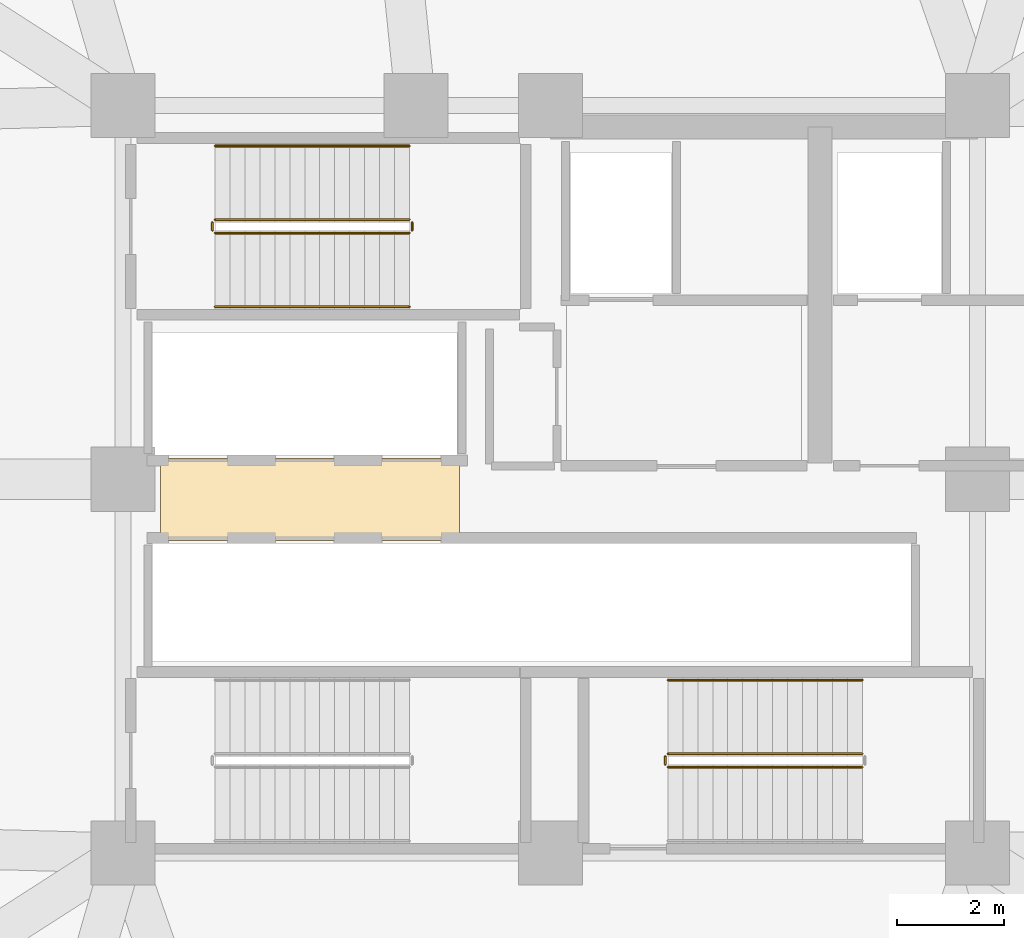
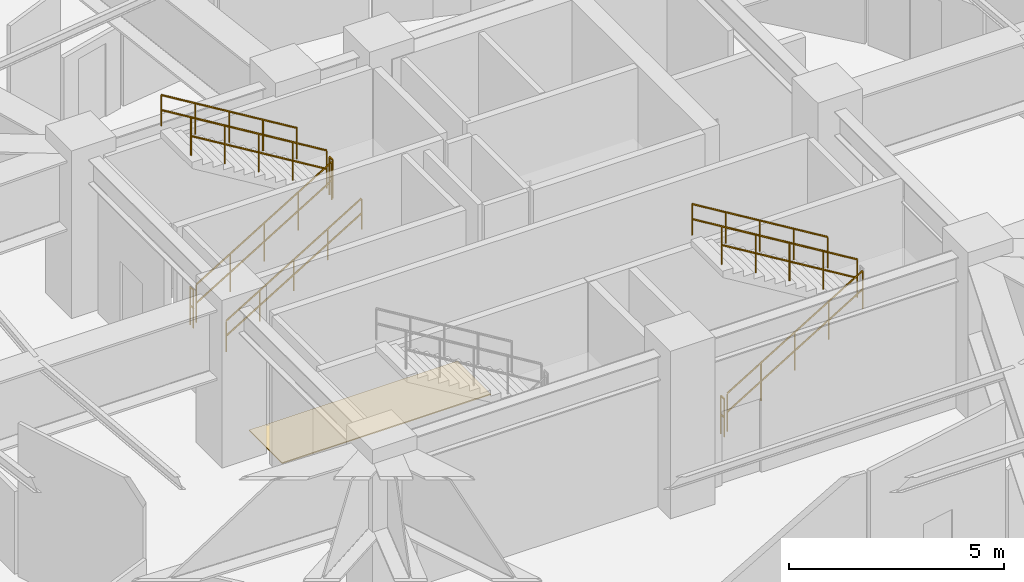
# One storey, part 32 of 34: 10 railings, 1 covering.
"""IFC4 building model written with IfcOpenShell, lengths in metres."""

from ifc_helpers import new_model, si_unit, direction, frame, origin, origin_2d, place, context, subcontext, project, spatial, polyline, rectangle, outline, extrude, source, transform, mapped, material, layer, layer_set, type_object, element, save


model = new_model("IFC4")

# Units and contexts
model_context = context("Model", 3, precision=1e-05, world=origin(), true_north=direction((0.0, 1.0)))
body_context = subcontext(model_context, "Body", "Model", "MODEL_VIEW")
ifc_project = project(units=[si_unit("LENGTHUNIT", "METRE"), si_unit("AREAUNIT", "SQUARE_METRE"), si_unit("VOLUMEUNIT", "CUBIC_METRE"), si_unit("PLANEANGLEUNIT", "RADIAN"), si_unit("MASSUNIT", "GRAM", prefix="KILO")], contexts=[model_context])

# Site, building, storey
site_placement = place(None, origin())
site = spatial("IfcSite", under=ifc_project, at=site_placement, CompositionType="ELEMENT")
building_placement = place(site_placement, origin())
building = spatial("IfcBuilding", under=site, at=building_placement, Name="Kelanora Arch Commons", CompositionType="ELEMENT")
storey_placement = place(building_placement, frame((0.0, 0.0, 125.10009765625)))
storey = spatial("IfcBuildingStorey", under=building, at=storey_placement, Name="L32", CompositionType="ELEMENT", Elevation=125.10009765625)

# Railings
ifc_material_1 = material(Name="Painted steel stair well guard", Category="steel")
railing_type_1 = type_object("IfcRailingType", Name="RAIL-STAIR-GRD", PredefinedType="GUARDRAIL", material=ifc_material_1)
railing_1_placement = place(storey_placement, frame((67.719970703125, 62.610107421875, 0.169921875)))
element("IfcRailing", 1, at=railing_1_placement, inside=storey, type_object=railing_type_1, Name="L32 ST-T1 stair guard 1", PredefinedType="GUARDRAIL", context=body_context, shape_type="SweptSolid", body=[
    extrude(outline(polyline([(0.02392578125, 0.0), (0.011962890625, 0.020751953125), (-0.011962890625, 0.020751953125), (-0.02392578125, 0.0), (-0.011962890625, -0.020751953125), (0.011962890625, -0.020751953125), (0.02392578125, 0.0)])), frame((0.0, 0.0, 1.076171875), z_axis=(0.854800231366, 0.0, 0.518957189425), x_axis=(0.0, 1.0, 0.0)), (0.0, 0.0, 1.0), 4.258544921875),
    extrude(outline(polyline([(0.02392578125, 0.0), (0.011962890625, 0.020751953125), (-0.011962890625, 0.020751953125), (-0.02392578125, 0.0), (-0.011962890625, -0.020751953125), (0.011962890625, -0.020751953125), (0.02392578125, 0.0)])), frame((0.0, 0.0, 0.550048828125), z_axis=(0.854800231366, 0.0, 0.518957189425), x_axis=(0.0, 1.0, 0.0)), (0.0, 0.0, 1.0), 4.258544921875),
    extrude(outline(polyline([(0.02099609375, 0.0), (0.010498046875, 0.01806640625), (-0.010498046875, 0.01806640625), (-0.02099609375, 0.0), (-0.010498046875, -0.01806640625), (0.010498046875, -0.01806640625), (0.02099609375, 0.0)])), origin(), (0.0, 0.0, 1.0), 1.052001953125),
    extrude(outline(polyline([(0.02099609375, 0.0), (0.010498046875, 0.01806640625), (-0.010498046875, 0.01806640625), (-0.02099609375, 0.0), (-0.010498046875, -0.01806640625), (0.010498046875, -0.01806640625), (0.02099609375, 0.0)])), frame((0.91015625, 0.0, 0.552490234375)), (0.0, 0.0, 1.0), 1.052001953125),
    extrude(outline(polyline([(0.02099609375, 0.0), (0.010498046875, 0.01806640625), (-0.010498046875, 0.01806640625), (-0.02099609375, 0.0), (-0.010498046875, -0.01806640625), (0.010498046875, -0.01806640625), (0.02099609375, 0.0)])), frame((1.820068359375, 0.0, 1.10498046875)), (0.0, 0.0, 1.0), 1.052001953125),
    extrude(outline(polyline([(0.02099609375, 0.0), (0.010498046875, 0.01806640625), (-0.010498046875, 0.01806640625), (-0.02099609375, 0.0), (-0.010498046875, -0.01806640625), (0.010498046875, -0.01806640625), (0.02099609375, 0.0)])), frame((2.72998046875, 0.0, 1.657470703125)), (0.0, 0.0, 1.0), 1.052001953125),
    extrude(outline(polyline([(0.02099609375, 0.0), (0.010498046875, 0.01806640625), (-0.010498046875, 0.01806640625), (-0.02099609375, 0.0), (-0.010498046875, -0.01806640625), (0.010498046875, -0.01806640625), (0.02099609375, 0.0)])), frame((3.64013671875, 0.0, 2.2099609375)), (0.0, 0.0, 1.0), 1.052001953125),
])
railing_2_placement = place(storey_placement, frame((71.409912109375, 62.659912109375, 2.3798828125)))
element("IfcRailing", 2, at=railing_2_placement, inside=storey, type_object=railing_type_1, Name="L32 ST-T1 stair guard 2", PredefinedType="GUARDRAIL", context=body_context, shape_type="SweptSolid", body=[
    extrude(outline(polyline([(0.02392578125, 0.0), (0.011962890625, 0.020751953125), (-0.011962890625, 0.020751953125), (-0.02392578125, 0.0), (-0.011962890625, -0.020751953125), (0.011962890625, -0.020751953125), (0.02392578125, 0.0)])), frame((0.0, 0.0, 1.076171875), z_axis=(0.0, 1.0, 0.0), x_axis=(-1.0, 0.0, 0.0)), (0.0, 0.0, 1.0), 0.150146484375),
    extrude(outline(polyline([(0.02392578125, 0.0), (0.011962890625, 0.020751953125), (-0.011962890625, 0.020751953125), (-0.02392578125, 0.0), (-0.011962890625, -0.020751953125), (0.011962890625, -0.020751953125), (0.02392578125, 0.0)])), frame((0.0, 0.0, 0.550048828125), z_axis=(0.0, 1.0, 0.0), x_axis=(-1.0, 0.0, 0.0)), (0.0, 0.0, 1.0), 0.150146484375),
    extrude(outline(polyline([(0.02099609375, 0.0), (0.010498046875, 0.01806640625), (-0.010498046875, 0.01806640625), (-0.02099609375, 0.0), (-0.010498046875, -0.01806640625), (0.010498046875, -0.01806640625), (0.02099609375, 0.0)])), origin(), (0.0, 0.0, 1.0), 1.052001953125),
    extrude(outline(polyline([(0.02099609375, 0.0), (0.010498046875, 0.01806640625), (-0.010498046875, 0.01806640625), (-0.02099609375, 0.0), (-0.010498046875, -0.01806640625), (0.010498046875, -0.01806640625), (0.02099609375, 0.0)])), frame((0.0, 0.150146484375, 0.0)), (0.0, 0.0, 1.0), 1.052001953125),
])
railing_3_placement = place(storey_placement, frame((71.360107421875, 62.860107421875, 2.5498046875)))
element("IfcRailing", 3, at=railing_3_placement, inside=storey, type_object=railing_type_1, Name="L32 ST-T1 stair guard 3", PredefinedType="GUARDRAIL", context=body_context, shape_type="SweptSolid", body=[
    extrude(outline(polyline([(0.02392578125, 0.0), (0.011962890625, 0.020751953125), (-0.011962890625, 0.020751953125), (-0.02392578125, 0.0), (-0.011962890625, -0.020751953125), (0.011962890625, -0.020751953125), (0.02392578125, 0.0)])), frame((0.0, 0.0, 1.076171875), z_axis=(-0.854774798942, 0.0, 0.518999078124), x_axis=(0.0, -1.0, 0.0)), (0.0, 0.0, 1.0), 4.258544921875),
    extrude(outline(polyline([(0.02392578125, 0.0), (0.011962890625, 0.020751953125), (-0.011962890625, 0.020751953125), (-0.02392578125, 0.0), (-0.011962890625, -0.020751953125), (0.011962890625, -0.020751953125), (0.02392578125, 0.0)])), frame((0.0, 0.0, 0.550048828125), z_axis=(-0.854774798942, 0.0, 0.518999078124), x_axis=(0.0, -1.0, 0.0)), (0.0, 0.0, 1.0), 4.258544921875),
    extrude(outline(polyline([(0.02099609375, 0.0), (0.010498046875, 0.01806640625), (-0.010498046875, 0.01806640625), (-0.02099609375, 0.0), (-0.010498046875, -0.01806640625), (0.010498046875, -0.01806640625), (0.02099609375, 0.0)])), origin(), (0.0, 0.0, 1.0), 1.052001953125),
    extrude(outline(polyline([(0.02099609375, 0.0), (0.010498046875, 0.01806640625), (-0.010498046875, 0.01806640625), (-0.02099609375, 0.0), (-0.010498046875, -0.01806640625), (0.010498046875, -0.01806640625), (0.02099609375, 0.0)])), frame((-0.91015625, 0.0, 0.552490234375)), (0.0, 0.0, 1.0), 1.052001953125),
    extrude(outline(polyline([(0.02099609375, 0.0), (0.010498046875, 0.01806640625), (-0.010498046875, 0.01806640625), (-0.02099609375, 0.0), (-0.010498046875, -0.01806640625), (0.010498046875, -0.01806640625), (0.02099609375, 0.0)])), frame((-1.820068359375, 0.0, 1.10498046875)), (0.0, 0.0, 1.0), 1.052001953125),
    extrude(outline(polyline([(0.02099609375, 0.0), (0.010498046875, 0.01806640625), (-0.010498046875, 0.01806640625), (-0.02099609375, 0.0), (-0.010498046875, -0.01806640625), (0.010498046875, -0.01806640625), (0.02099609375, 0.0)])), frame((-2.72998046875, 0.0, 1.65771484375)), (0.0, 0.0, 1.0), 1.052001953125),
    extrude(outline(polyline([(0.02099609375, 0.0), (0.010498046875, 0.01806640625), (-0.010498046875, 0.01806640625), (-0.02099609375, 0.0), (-0.010498046875, -0.01806640625), (0.010498046875, -0.01806640625), (0.02099609375, 0.0)])), frame((-3.64013671875, 0.0, 2.210205078125)), (0.0, 0.0, 1.0), 1.052001953125),
])
railing_4_placement = place(storey_placement, frame((67.669921875, 62.659912109375, 0.0)))
element("IfcRailing", 4, at=railing_4_placement, inside=storey, type_object=railing_type_1, Name="L32 ST-T1 stair guard 4", PredefinedType="GUARDRAIL", context=body_context, shape_type="SweptSolid", body=[
    extrude(outline(polyline([(0.02392578125, 0.0), (0.011962890625, 0.020751953125), (-0.011962890625, 0.020751953125), (-0.02392578125, 0.0), (-0.011962890625, -0.020751953125), (0.011962890625, -0.020751953125), (0.02392578125, 0.0)])), frame((0.0, 0.0, 1.076171875), z_axis=(0.0, 1.0, 0.0), x_axis=(-1.0, 0.0, 0.0)), (0.0, 0.0, 1.0), 0.150146484375),
    extrude(outline(polyline([(0.02392578125, 0.0), (0.011962890625, 0.020751953125), (-0.011962890625, 0.020751953125), (-0.02392578125, 0.0), (-0.011962890625, -0.020751953125), (0.011962890625, -0.020751953125), (0.02392578125, 0.0)])), frame((0.0, 0.0, 0.550048828125), z_axis=(0.0, 1.0, 0.0), x_axis=(-1.0, 0.0, 0.0)), (0.0, 0.0, 1.0), 0.150146484375),
    extrude(outline(polyline([(0.02099609375, 0.0), (0.010498046875, 0.01806640625), (-0.010498046875, 0.01806640625), (-0.02099609375, 0.0), (-0.010498046875, -0.01806640625), (0.010498046875, -0.01806640625), (0.02099609375, 0.0)])), origin(), (0.0, 0.0, 1.0), 1.052001953125),
    extrude(outline(polyline([(0.02099609375, 0.0), (0.010498046875, 0.01806640625), (-0.010498046875, 0.01806640625), (-0.02099609375, 0.0), (-0.010498046875, -0.01806640625), (0.010498046875, -0.01806640625), (0.02099609375, 0.0)])), frame((0.0, 0.150146484375, 0.0)), (0.0, 0.0, 1.0), 1.052001953125),
])
railing_5_placement = place(storey_placement, frame((76.199951171875, 52.610107421875, 0.169921875)))
element("IfcRailing", 5, at=railing_5_placement, inside=storey, type_object=railing_type_1, Name="L32 ST-T2 stair guard 1", PredefinedType="GUARDRAIL", context=body_context, shape_type="SweptSolid", body=[
    extrude(outline(polyline([(0.02392578125, 0.0), (0.011962890625, 0.020751953125), (-0.011962890625, 0.020751953125), (-0.02392578125, 0.0), (-0.011962890625, -0.020751953125), (0.011962890625, -0.020751953125), (0.02392578125, 0.0)])), frame((0.0, 0.0, 1.076171875), z_axis=(0.854800231366, 0.0, 0.518957189425), x_axis=(0.0, 1.0, 0.0)), (0.0, 0.0, 1.0), 4.258544921875),
    extrude(outline(polyline([(0.02392578125, 0.0), (0.011962890625, 0.020751953125), (-0.011962890625, 0.020751953125), (-0.02392578125, 0.0), (-0.011962890625, -0.020751953125), (0.011962890625, -0.020751953125), (0.02392578125, 0.0)])), frame((0.0, 0.0, 0.550048828125), z_axis=(0.854800231366, 0.0, 0.518957189425), x_axis=(0.0, 1.0, 0.0)), (0.0, 0.0, 1.0), 4.258544921875),
    extrude(outline(polyline([(0.02099609375, 0.0), (0.010498046875, 0.01806640625), (-0.010498046875, 0.01806640625), (-0.02099609375, 0.0), (-0.010498046875, -0.01806640625), (0.010498046875, -0.01806640625), (0.02099609375, 0.0)])), origin(), (0.0, 0.0, 1.0), 1.052001953125),
    extrude(outline(polyline([(0.02099609375, 0.0), (0.010498046875, 0.01806640625), (-0.010498046875, 0.01806640625), (-0.02099609375, 0.0), (-0.010498046875, -0.01806640625), (0.010498046875, -0.01806640625), (0.02099609375, 0.0)])), frame((0.91015625, 0.0, 0.552490234375)), (0.0, 0.0, 1.0), 1.052001953125),
    extrude(outline(polyline([(0.02099609375, 0.0), (0.010498046875, 0.01806640625), (-0.010498046875, 0.01806640625), (-0.02099609375, 0.0), (-0.010498046875, -0.01806640625), (0.010498046875, -0.01806640625), (0.02099609375, 0.0)])), frame((1.820068359375, 0.0, 1.10498046875)), (0.0, 0.0, 1.0), 1.052001953125),
    extrude(outline(polyline([(0.02099609375, 0.0), (0.010498046875, 0.01806640625), (-0.010498046875, 0.01806640625), (-0.02099609375, 0.0), (-0.010498046875, -0.01806640625), (0.010498046875, -0.01806640625), (0.02099609375, 0.0)])), frame((2.72998046875, 0.0, 1.657470703125)), (0.0, 0.0, 1.0), 1.052001953125),
    extrude(outline(polyline([(0.02099609375, 0.0), (0.010498046875, 0.01806640625), (-0.010498046875, 0.01806640625), (-0.02099609375, 0.0), (-0.010498046875, -0.01806640625), (0.010498046875, -0.01806640625), (0.02099609375, 0.0)])), frame((3.64013671875, 0.0, 2.2099609375)), (0.0, 0.0, 1.0), 1.052001953125),
])
railing_6_placement = place(storey_placement, frame((79.840087890625, 52.860107421875, 2.5498046875)))
element("IfcRailing", 6, at=railing_6_placement, inside=storey, type_object=railing_type_1, Name="L32 ST-T2 stair guard 3", PredefinedType="GUARDRAIL", context=body_context, shape_type="SweptSolid", body=[
    extrude(outline(polyline([(0.02392578125, 0.0), (0.011962890625, 0.020751953125), (-0.011962890625, 0.020751953125), (-0.02392578125, 0.0), (-0.011962890625, -0.020751953125), (0.011962890625, -0.020751953125), (0.02392578125, 0.0)])), frame((0.0, 0.0, 1.076171875), z_axis=(-0.854774798942, 0.0, 0.518999078124), x_axis=(0.0, -1.0, 0.0)), (0.0, 0.0, 1.0), 4.258544921875),
    extrude(outline(polyline([(0.02392578125, 0.0), (0.011962890625, 0.020751953125), (-0.011962890625, 0.020751953125), (-0.02392578125, 0.0), (-0.011962890625, -0.020751953125), (0.011962890625, -0.020751953125), (0.02392578125, 0.0)])), frame((0.0, 0.0, 0.550048828125), z_axis=(-0.854774798942, 0.0, 0.518999078124), x_axis=(0.0, -1.0, 0.0)), (0.0, 0.0, 1.0), 4.258544921875),
    extrude(outline(polyline([(0.02099609375, 0.0), (0.010498046875, 0.01806640625), (-0.010498046875, 0.01806640625), (-0.02099609375, 0.0), (-0.010498046875, -0.01806640625), (0.010498046875, -0.01806640625), (0.02099609375, 0.0)])), origin(), (0.0, 0.0, 1.0), 1.052001953125),
    extrude(outline(polyline([(0.02099609375, 0.0), (0.010498046875, 0.01806640625), (-0.010498046875, 0.01806640625), (-0.02099609375, 0.0), (-0.010498046875, -0.01806640625), (0.010498046875, -0.01806640625), (0.02099609375, 0.0)])), frame((-0.91015625, 0.0, 0.552490234375)), (0.0, 0.0, 1.0), 1.052001953125),
    extrude(outline(polyline([(0.02099609375, 0.0), (0.010498046875, 0.01806640625), (-0.010498046875, 0.01806640625), (-0.02099609375, 0.0), (-0.010498046875, -0.01806640625), (0.010498046875, -0.01806640625), (0.02099609375, 0.0)])), frame((-1.820068359375, 0.0, 1.10498046875)), (0.0, 0.0, 1.0), 1.052001953125),
    extrude(outline(polyline([(0.02099609375, 0.0), (0.010498046875, 0.01806640625), (-0.010498046875, 0.01806640625), (-0.02099609375, 0.0), (-0.010498046875, -0.01806640625), (0.010498046875, -0.01806640625), (0.02099609375, 0.0)])), frame((-2.72998046875, 0.0, 1.65771484375)), (0.0, 0.0, 1.0), 1.052001953125),
    extrude(outline(polyline([(0.02099609375, 0.0), (0.010498046875, 0.01806640625), (-0.010498046875, 0.01806640625), (-0.02099609375, 0.0), (-0.010498046875, -0.01806640625), (0.010498046875, -0.01806640625), (0.02099609375, 0.0)])), frame((-3.64013671875, 0.0, 2.210205078125)), (0.0, 0.0, 1.0), 1.052001953125),
])
railing_7_placement = place(storey_placement, frame((76.14990234375, 52.659912109375, 0.0)))
element("IfcRailing", 7, at=railing_7_placement, inside=storey, type_object=railing_type_1, Name="L32 ST-T2 stair guard 4", PredefinedType="GUARDRAIL", context=body_context, shape_type="SweptSolid", body=[
    extrude(outline(polyline([(0.02392578125, 0.0), (0.011962890625, 0.020751953125), (-0.011962890625, 0.020751953125), (-0.02392578125, 0.0), (-0.011962890625, -0.020751953125), (0.011962890625, -0.020751953125), (0.02392578125, 0.0)])), frame((0.0, 0.0, 1.076171875), z_axis=(0.0, 1.0, 0.0), x_axis=(-1.0, 0.0, 0.0)), (0.0, 0.0, 1.0), 0.150146484375),
    extrude(outline(polyline([(0.02392578125, 0.0), (0.011962890625, 0.020751953125), (-0.011962890625, 0.020751953125), (-0.02392578125, 0.0), (-0.011962890625, -0.020751953125), (0.011962890625, -0.020751953125), (0.02392578125, 0.0)])), frame((0.0, 0.0, 0.550048828125), z_axis=(0.0, 1.0, 0.0), x_axis=(-1.0, 0.0, 0.0)), (0.0, 0.0, 1.0), 0.150146484375),
    extrude(outline(polyline([(0.02099609375, 0.0), (0.010498046875, 0.01806640625), (-0.010498046875, 0.01806640625), (-0.02099609375, 0.0), (-0.010498046875, -0.01806640625), (0.010498046875, -0.01806640625), (0.02099609375, 0.0)])), origin(), (0.0, 0.0, 1.0), 1.052001953125),
    extrude(outline(polyline([(0.02099609375, 0.0), (0.010498046875, 0.01806640625), (-0.010498046875, 0.01806640625), (-0.02099609375, 0.0), (-0.010498046875, -0.01806640625), (0.010498046875, -0.01806640625), (0.02099609375, 0.0)])), frame((0.0, 0.150146484375, 0.0)), (0.0, 0.0, 1.0), 1.052001953125),
])
ifc_material_2 = material(Name="Brushed stainless steel stair handrail", Category="steel")
railing_type_2 = type_object("IfcRailingType", Name="RAIL-STAIR-HND", PredefinedType="HANDRAIL", material=ifc_material_2)
railing_8_placement = place(storey_placement, frame((67.719970703125, 61.22998046875, 0.169921875)))
element("IfcRailing", 8, at=railing_8_placement, inside=storey, type_object=railing_type_2, Name="L32 ST-T1 stair handrail 1", PredefinedType="HANDRAIL", context=body_context, shape_type="SweptSolid", body=[
    extrude(outline(polyline([(0.02392578125, 0.0), (0.011962890625, 0.020751953125), (-0.011962890625, 0.020751953125), (-0.02392578125, 0.0), (-0.011962890625, -0.020751953125), (0.011962890625, -0.020751953125), (0.02392578125, 0.0)])), frame((0.0, 0.0, 0.8759765625), z_axis=(0.854800231366, 0.0, 0.518957189425), x_axis=(0.0, 1.0, 0.0)), (0.0, 0.0, 1.0), 4.258544921875),
    extrude(outline(polyline([(0.02392578125, 0.0), (0.011962890625, 0.020751953125), (-0.011962890625, 0.020751953125), (-0.02392578125, 0.0), (-0.011962890625, -0.020751953125), (0.011962890625, -0.020751953125), (0.02392578125, 0.0)])), frame((0.0, 0.0, 0.449951171875), z_axis=(0.854800231366, 0.0, 0.518957189425), x_axis=(0.0, 1.0, 0.0)), (0.0, 0.0, 1.0), 4.258544921875),
    extrude(outline(polyline([(0.02099609375, 0.0), (0.010498046875, 0.01806640625), (-0.010498046875, 0.01806640625), (-0.02099609375, 0.0), (-0.010498046875, -0.01806640625), (0.010498046875, -0.01806640625), (0.02099609375, 0.0)])), origin(), (0.0, 0.0, 1.0), 0.851806640625),
    extrude(outline(polyline([(0.02099609375, 0.0), (0.010498046875, 0.01806640625), (-0.010498046875, 0.01806640625), (-0.02099609375, 0.0), (-0.010498046875, -0.01806640625), (0.010498046875, -0.01806640625), (0.02099609375, 0.0)])), frame((0.91015625, 0.0, 0.552490234375)), (0.0, 0.0, 1.0), 0.851806640625),
    extrude(outline(polyline([(0.02099609375, 0.0), (0.010498046875, 0.01806640625), (-0.010498046875, 0.01806640625), (-0.02099609375, 0.0), (-0.010498046875, -0.01806640625), (0.010498046875, -0.01806640625), (0.02099609375, 0.0)])), frame((1.820068359375, 0.0, 1.10498046875)), (0.0, 0.0, 1.0), 0.851806640625),
    extrude(outline(polyline([(0.02099609375, 0.0), (0.010498046875, 0.01806640625), (-0.010498046875, 0.01806640625), (-0.02099609375, 0.0), (-0.010498046875, -0.01806640625), (0.010498046875, -0.01806640625), (0.02099609375, 0.0)])), frame((2.72998046875, 0.0, 1.657470703125)), (0.0, 0.0, 1.0), 0.851806640625),
    extrude(outline(polyline([(0.02099609375, 0.0), (0.010498046875, 0.01806640625), (-0.010498046875, 0.01806640625), (-0.02099609375, 0.0), (-0.010498046875, -0.01806640625), (0.010498046875, -0.01806640625), (0.02099609375, 0.0)])), frame((3.64013671875, 0.0, 2.2099609375)), (0.0, 0.0, 1.0), 0.851806640625),
])
railing_9_placement = place(storey_placement, frame((71.360107421875, 64.239990234375, 2.5498046875)))
element("IfcRailing", 9, at=railing_9_placement, inside=storey, type_object=railing_type_2, Name="L32 ST-T1 stair handrail 2", PredefinedType="HANDRAIL", context=body_context, shape_type="SweptSolid", body=[
    extrude(outline(polyline([(0.02392578125, 0.0), (0.011962890625, 0.020751953125), (-0.011962890625, 0.020751953125), (-0.02392578125, 0.0), (-0.011962890625, -0.020751953125), (0.011962890625, -0.020751953125), (0.02392578125, 0.0)])), frame((0.0, 0.0, 0.8759765625), z_axis=(-0.854774798942, 0.0, 0.518999078124), x_axis=(0.0, -1.0, 0.0)), (0.0, 0.0, 1.0), 4.258544921875),
    extrude(outline(polyline([(0.02392578125, 0.0), (0.011962890625, 0.020751953125), (-0.011962890625, 0.020751953125), (-0.02392578125, 0.0), (-0.011962890625, -0.020751953125), (0.011962890625, -0.020751953125), (0.02392578125, 0.0)])), frame((0.0, 0.0, 0.449951171875), z_axis=(-0.854774798942, 0.0, 0.518999078124), x_axis=(0.0, -1.0, 0.0)), (0.0, 0.0, 1.0), 4.258544921875),
    extrude(outline(polyline([(0.02099609375, 0.0), (0.010498046875, 0.01806640625), (-0.010498046875, 0.01806640625), (-0.02099609375, 0.0), (-0.010498046875, -0.01806640625), (0.010498046875, -0.01806640625), (0.02099609375, 0.0)])), origin(), (0.0, 0.0, 1.0), 0.851806640625),
    extrude(outline(polyline([(0.02099609375, 0.0), (0.010498046875, 0.01806640625), (-0.010498046875, 0.01806640625), (-0.02099609375, 0.0), (-0.010498046875, -0.01806640625), (0.010498046875, -0.01806640625), (0.02099609375, 0.0)])), frame((-0.91015625, 0.0, 0.552490234375)), (0.0, 0.0, 1.0), 0.851806640625),
    extrude(outline(polyline([(0.02099609375, 0.0), (0.010498046875, 0.01806640625), (-0.010498046875, 0.01806640625), (-0.02099609375, 0.0), (-0.010498046875, -0.01806640625), (0.010498046875, -0.01806640625), (0.02099609375, 0.0)])), frame((-1.820068359375, 0.0, 1.10498046875)), (0.0, 0.0, 1.0), 0.851806640625),
    extrude(outline(polyline([(0.02099609375, 0.0), (0.010498046875, 0.01806640625), (-0.010498046875, 0.01806640625), (-0.02099609375, 0.0), (-0.010498046875, -0.01806640625), (0.010498046875, -0.01806640625), (0.02099609375, 0.0)])), frame((-2.72998046875, 0.0, 1.65771484375)), (0.0, 0.0, 1.0), 0.851806640625),
    extrude(outline(polyline([(0.02099609375, 0.0), (0.010498046875, 0.01806640625), (-0.010498046875, 0.01806640625), (-0.02099609375, 0.0), (-0.010498046875, -0.01806640625), (0.010498046875, -0.01806640625), (0.02099609375, 0.0)])), frame((-3.64013671875, 0.0, 2.210205078125)), (0.0, 0.0, 1.0), 0.851806640625),
])
railing_10_placement = place(storey_placement, frame((79.840087890625, 54.239990234375, 2.5498046875)))
element("IfcRailing", 10, at=railing_10_placement, inside=storey, type_object=railing_type_2, Name="L32 ST-T2 stair handrail 2", PredefinedType="HANDRAIL", context=body_context, shape_type="SweptSolid", body=[
    extrude(outline(polyline([(0.02392578125, 0.0), (0.011962890625, 0.020751953125), (-0.011962890625, 0.020751953125), (-0.02392578125, 0.0), (-0.011962890625, -0.020751953125), (0.011962890625, -0.020751953125), (0.02392578125, 0.0)])), frame((0.0, 0.0, 0.8759765625), z_axis=(-0.854774798942, 0.0, 0.518999078124), x_axis=(0.0, -1.0, 0.0)), (0.0, 0.0, 1.0), 4.258544921875),
    extrude(outline(polyline([(0.02392578125, 0.0), (0.011962890625, 0.020751953125), (-0.011962890625, 0.020751953125), (-0.02392578125, 0.0), (-0.011962890625, -0.020751953125), (0.011962890625, -0.020751953125), (0.02392578125, 0.0)])), frame((0.0, 0.0, 0.449951171875), z_axis=(-0.854774798942, 0.0, 0.518999078124), x_axis=(0.0, -1.0, 0.0)), (0.0, 0.0, 1.0), 4.258544921875),
    extrude(outline(polyline([(0.02099609375, 0.0), (0.010498046875, 0.01806640625), (-0.010498046875, 0.01806640625), (-0.02099609375, 0.0), (-0.010498046875, -0.01806640625), (0.010498046875, -0.01806640625), (0.02099609375, 0.0)])), origin(), (0.0, 0.0, 1.0), 0.851806640625),
    extrude(outline(polyline([(0.02099609375, 0.0), (0.010498046875, 0.01806640625), (-0.010498046875, 0.01806640625), (-0.02099609375, 0.0), (-0.010498046875, -0.01806640625), (0.010498046875, -0.01806640625), (0.02099609375, 0.0)])), frame((-0.91015625, 0.0, 0.552490234375)), (0.0, 0.0, 1.0), 0.851806640625),
    extrude(outline(polyline([(0.02099609375, 0.0), (0.010498046875, 0.01806640625), (-0.010498046875, 0.01806640625), (-0.02099609375, 0.0), (-0.010498046875, -0.01806640625), (0.010498046875, -0.01806640625), (0.02099609375, 0.0)])), frame((-1.820068359375, 0.0, 1.10498046875)), (0.0, 0.0, 1.0), 0.851806640625),
    extrude(outline(polyline([(0.02099609375, 0.0), (0.010498046875, 0.01806640625), (-0.010498046875, 0.01806640625), (-0.02099609375, 0.0), (-0.010498046875, -0.01806640625), (0.010498046875, -0.01806640625), (0.02099609375, 0.0)])), frame((-2.72998046875, 0.0, 1.65771484375)), (0.0, 0.0, 1.0), 0.851806640625),
    extrude(outline(polyline([(0.02099609375, 0.0), (0.010498046875, 0.01806640625), (-0.010498046875, 0.01806640625), (-0.02099609375, 0.0), (-0.010498046875, -0.01806640625), (0.010498046875, -0.01806640625), (0.02099609375, 0.0)])), frame((-3.64013671875, 0.0, 2.210205078125)), (0.0, 0.0, 1.0), 0.851806640625),
])

# Covering
ifc_material_3 = material(Name="Polished local granite terrazzo flooring", Category="masonry")
ifc_layer = layer(ifc_material_3, 0.030029296875)
ifc_layer_set = layer_set([ifc_layer], Name="Polished local granite terrazzo flooring")
covering_type = type_object("IfcCoveringType", Name="COV-FLR-TER", PredefinedType="FLOORING", material=ifc_layer_set)
shared_shape = source(origin(), body_context, "Body", "SweptSolid", [
    extrude(rectangle(XDim=5.60009765625, YDim=1.5400390625, at=origin_2d()), origin(), (0.0, 0.0, 1.0), 0.030029296875),
])
covering_placement = place(storey_placement, frame((69.5, 57.6201171875, 0.0), z_axis=(0.0, 0.0, 1.0), x_axis=(1.0, 0.0, 0.0)))
element("IfcCovering", 11, at=covering_placement, inside=storey, type_object=covering_type, Name="Lift Lobby Terrazzo Flooring L32", PredefinedType="FLOORING", context=body_context, shape_type="MappedRepresentation", body=[
    mapped(shared_shape, transform((0.0, 0.0, 0.0), scale=1.0)),
])

save(model, "model.ifc")
